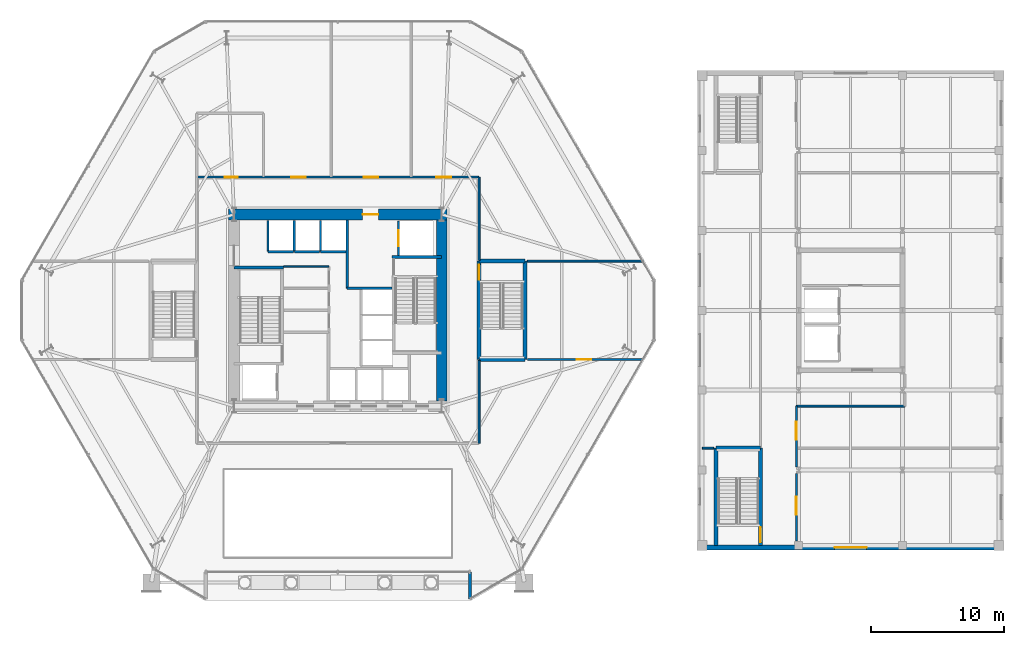
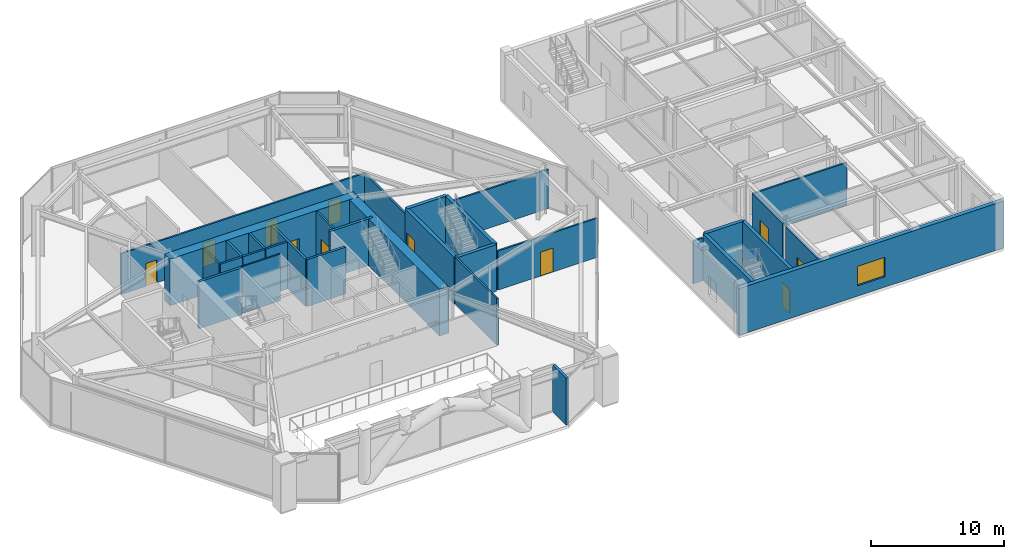
# One storey, part 17 of 23: 32 walls, 11 doors, 1 window, 12 openings.
"""IFC4 building model written with IfcOpenShell, lengths in metres."""

from ifc_helpers import new_model, si_unit, direction, frame, frame_2d, origin, place, context, subcontext, project, spatial, rectangle, extrude, material, layer, layer_set, type_object, element, fill, save


model = new_model("IFC4")

# Units and contexts
model_context = context("Model", 3, precision=1e-05, world=origin(), true_north=direction((0.0, 1.0)))
body_context = subcontext(model_context, "Body", "Model", "MODEL_VIEW")
ifc_project = project(units=[si_unit("LENGTHUNIT", "METRE"), si_unit("AREAUNIT", "SQUARE_METRE"), si_unit("VOLUMEUNIT", "CUBIC_METRE"), si_unit("PLANEANGLEUNIT", "RADIAN"), si_unit("MASSUNIT", "GRAM", prefix="KILO")], contexts=[model_context])

# Site, building, storey
site_placement = place(None, origin())
site = spatial("IfcSite", under=ifc_project, at=site_placement, CompositionType="ELEMENT")
building_placement = place(site_placement, origin())
building = spatial("IfcBuilding", under=site, at=building_placement, Name="Kranzbogen Civic Tower", CompositionType="ELEMENT")
storey_placement = place(building_placement, frame((0.0, 0.0, 14.39990234375)))
storey = spatial("IfcBuildingStorey", under=building, at=storey_placement, Name="L03", CompositionType="ELEMENT", Elevation=14.39990234375)

# Wall, openings, doors
ifc_material_1 = material(Name="Double-Stud Acoustic Gypsum Partition")
ifc_layer_1 = layer(ifc_material_1, 0.14990234375, Name="Double-Stud Acoustic Gypsum Partition")
ifc_layer_set_1 = layer_set([ifc_layer_1], Name="Double-Stud Acoustic Gypsum Partition")
wall_type_1 = type_object("IfcWallType", Name="Acoustic Corridor and Clinical Partition 150 mm", PredefinedType="PARTITIONING", material=ifc_layer_set_1)
wall_1_placement = place(storey_placement, frame((14.39990234375, 35.0, 0.0), z_axis=(0.0, 0.0, 1.0), x_axis=(1.0, 0.0, 0.0)))
wall_1 = element("IfcWall", 1, at=wall_1_placement, inside=storey, type_object=wall_type_1, Name="L03 podium concourse N wall", PredefinedType="PARTITIONING", context=body_context, shape_type="SweptSolid", body=[
    extrude(rectangle(XDim=21.2001953125, YDim=0.14990234375, at=frame_2d((10.60009765625, 0.0))), origin(), (0.0, 0.0, 1.0), 3.75),
])
opening_1_placement = place(wall_1_placement, frame((2.1201171875, 0.0, 0.0)))
opening_1 = element("IfcOpeningElement", 2, at=opening_1_placement, cuts=wall_1, Name="Opening D-AWC95", PredefinedType="OPENING", context=body_context, shape_type="SweptSolid", body=[
    extrude(rectangle(XDim=0.949951171875, YDim=2.10009765625, at=frame_2d((0.47509765625, 1.050048828125))), frame((0.0, 0.0849609375, 0.0), z_axis=(0.0, -1.0, 0.0), x_axis=(1.0, 0.0, 0.0)), (0.0, 0.0, 1.0), 0.169921875),
])
opening_2_placement = place(wall_1_placement, frame((7.087890625, 0.0, 0.0)))
opening_2 = element("IfcOpeningElement", 3, at=opening_2_placement, cuts=wall_1, Name="Opening D-COR60", PredefinedType="OPENING", context=body_context, shape_type="SweptSolid", body=[
    extrude(rectangle(XDim=1.10009765625, YDim=2.199951171875, at=frame_2d((0.550048828125, 1.10009765625))), frame((0.0, 0.0849609375, 0.0), z_axis=(0.0, -1.0, 0.0), x_axis=(1.0, 0.0, 0.0)), (0.0, 0.0, 1.0), 0.169921875),
])
opening_3_placement = place(wall_1_placement, frame((18.00390625, 0.0, 0.0)))
opening_3 = element("IfcOpeningElement", 4, at=opening_3_placement, cuts=wall_1, Name="Opening D-COR60", PredefinedType="OPENING", context=body_context, shape_type="SweptSolid", body=[
    extrude(rectangle(XDim=1.10009765625, YDim=2.199951171875, at=frame_2d((0.550048828125, 1.10009765625))), frame((0.0, 0.0849609375, 0.0), z_axis=(0.0, -1.0, 0.0), x_axis=(1.0, 0.0, 0.0)), (0.0, 0.0, 1.0), 0.169921875),
])
opening_4_placement = place(wall_1_placement, frame((12.550048828125, 0.0, 0.0)))
opening_4 = element("IfcOpeningElement", 5, at=opening_4_placement, cuts=wall_1, Name="Opening D-COR60", PredefinedType="OPENING", context=body_context, shape_type="SweptSolid", body=[
    extrude(rectangle(XDim=1.10009765625, YDim=2.199951171875, at=frame_2d((0.550048828125, 1.10009765625))), frame((0.0, 0.0849609375, 0.0), z_axis=(0.0, -1.0, 0.0), x_axis=(1.0, 0.0, 0.0)), (0.0, 0.0, 1.0), 0.169921875),
])
ifc_material_2 = material(Name="Moisture-Resistant Laminate")
door_type_1 = type_object("IfcDoorType", Name="Accessible Restroom Door 950x2100", OperationType="NOTDEFINED", PredefinedType="DOOR", material=ifc_material_2)
door_1_placement = place(opening_1_placement, origin())
door_1 = element("IfcDoor", 6, at=door_1_placement, inside=storey, type_object=door_type_1, Name="L03 Public Restroom Suite door", OperationType="SINGLE_SWING_LEFT", OverallHeight=2.10009765625, OverallWidth=0.949951171875, PredefinedType="DOOR", context=body_context, shape_type="SweptSolid", body=[
    extrude(rectangle(XDim=0.949951171875, YDim=2.10009765625, at=frame_2d((0.47509765625, 1.050048828125))), frame((0.0, 0.02490234375, 0.0), z_axis=(0.0, -1.0, 0.0), x_axis=(1.0, 0.0, 0.0)), (0.0, 0.0, 1.0), 0.050048828125),
])
fill(opening_1, door_1)
ifc_material_3 = material(Name="Oak Timber and Fire Core", Category="wood")
door_type_2 = type_object("IfcDoorType", Name="Corridor Acoustic Fire Door 1100x2200", OperationType="NOTDEFINED", PredefinedType="DOOR", material=ifc_material_3)
door_2_placement = place(opening_2_placement, origin())
door_2 = element("IfcDoor", 7, at=door_2_placement, inside=storey, type_object=door_type_2, Name="L03 Broadcast and Interpretation Suite door", OperationType="SINGLE_SWING_LEFT", OverallHeight=2.199951171875, OverallWidth=1.10009765625, PredefinedType="DOOR", context=body_context, shape_type="SweptSolid", body=[
    extrude(rectangle(XDim=1.10009765625, YDim=2.199951171875, at=frame_2d((0.550048828125, 1.10009765625))), frame((0.0, 0.02490234375, 0.0), z_axis=(0.0, -1.0, 0.0), x_axis=(1.0, 0.0, 0.0)), (0.0, 0.0, 1.0), 0.050048828125),
])
fill(opening_2, door_2)
door_3_placement = place(opening_3_placement, origin())
door_3 = element("IfcDoor", 8, at=door_3_placement, inside=storey, type_object=door_type_2, Name="L03 Urban Planning Committee Room door", OperationType="SINGLE_SWING_RIGHT", OverallHeight=2.199951171875, OverallWidth=1.10009765625, PredefinedType="DOOR", context=body_context, shape_type="SweptSolid", body=[
    extrude(rectangle(XDim=1.10009765625, YDim=2.199951171875, at=frame_2d((0.550048828125, 1.10009765625))), frame((0.0, 0.02490234375, 0.0), z_axis=(0.0, -1.0, 0.0), x_axis=(1.0, 0.0, 0.0)), (0.0, 0.0, 1.0), 0.050048828125),
])
fill(opening_3, door_3)
door_4_placement = place(opening_4_placement, origin())
door_4 = element("IfcDoor", 9, at=door_4_placement, inside=storey, type_object=door_type_2, Name="L03 Finance Committee Suite door", OperationType="SINGLE_SWING_LEFT", OverallHeight=2.199951171875, OverallWidth=1.10009765625, PredefinedType="DOOR", context=body_context, shape_type="SweptSolid", body=[
    extrude(rectangle(XDim=1.10009765625, YDim=2.199951171875, at=frame_2d((0.550048828125, 1.10009765625))), frame((0.0, 0.02490234375, 0.0), z_axis=(0.0, -1.0, 0.0), x_axis=(1.0, 0.0, 0.0)), (0.0, 0.0, 1.0), 0.050048828125),
])
fill(opening_4, door_4)

# Walls
wall_2_placement = place(storey_placement, frame((35.60009765625, 15.0, 0.0), z_axis=(0.0, 0.0, 1.0), x_axis=(0.0, 1.0, 0.0)))
element("IfcWall", 10, at=wall_2_placement, inside=storey, type_object=wall_type_1, Name="L03 podium concourse E1 wall", PredefinedType="PARTITIONING", context=body_context, shape_type="SweptSolid", body=[
    extrude(rectangle(XDim=6.25, YDim=0.14990234375, at=frame_2d((3.125, 0.0))), origin(), (0.0, 0.0, 1.0), 4.300048828125),
])
wall_3_placement = place(storey_placement, frame((35.60009765625, 28.75, 0.0), z_axis=(0.0, 0.0, 1.0), x_axis=(0.0, 1.0, 0.0)))
element("IfcWall", 11, at=wall_3_placement, inside=storey, type_object=wall_type_1, Name="L03 podium concourse E2 wall", PredefinedType="PARTITIONING", context=body_context, shape_type="SweptSolid", body=[
    extrude(rectangle(XDim=6.25, YDim=0.14990234375, at=frame_2d((3.125, 0.0))), origin(), (0.0, 0.0, 1.0), 3.75),
])

# Wall, opening, door
wall_4_placement = place(storey_placement, frame((39.22998046875, 21.300048828125, 0.0), z_axis=(0.0, 0.0, 1.0), x_axis=(1.0, 0.0, 0.0)))
wall_4 = element("IfcWall", 12, at=wall_4_placement, inside=storey, type_object=wall_type_1, Name="L03 podium partition 06", PredefinedType="PARTITIONING", context=body_context, shape_type="SweptSolid", body=[
    extrude(rectangle(XDim=8.68994140625, YDim=0.14990234375, at=frame_2d((4.344970703125, 0.0))), origin(), (0.0, 0.0, 1.0), 3.60009765625),
])
opening_5_placement = place(wall_4_placement, frame((3.7060546875, 0.0, 0.0)))
opening_5 = element("IfcOpeningElement", 13, at=opening_5_placement, cuts=wall_4, Name="Opening D-COR60", PredefinedType="OPENING", context=body_context, shape_type="SweptSolid", body=[
    extrude(rectangle(XDim=1.10009765625, YDim=2.199951171875, at=frame_2d((0.550048828125, 1.10009765625))), frame((0.0, 0.0849609375, 0.0), z_axis=(0.0, -1.0, 0.0), x_axis=(1.0, 0.0, 0.0)), (0.0, 0.0, 1.0), 0.169921875),
])
door_5_placement = place(opening_5_placement, origin())
door_5 = element("IfcDoor", 14, at=door_5_placement, inside=storey, type_object=door_type_2, Name="L03 Legal Drafting Room door", OperationType="SINGLE_SWING_LEFT", OverallHeight=2.199951171875, OverallWidth=1.10009765625, PredefinedType="DOOR", context=body_context, shape_type="SweptSolid", body=[
    extrude(rectangle(XDim=1.10009765625, YDim=2.199951171875, at=frame_2d((0.550048828125, 1.10009765625))), frame((0.0, 0.02490234375, 0.0), z_axis=(0.0, -1.0, 0.0), x_axis=(1.0, 0.0, 0.0)), (0.0, 0.0, 1.0), 0.050048828125),
])
fill(opening_5, door_5)

# Wall
wall_5_placement = place(storey_placement, frame((39.22998046875, 28.699951171875, 0.0), z_axis=(0.0, 0.0, 1.0), x_axis=(1.0, 0.0, 0.0)))
element("IfcWall", 15, at=wall_5_placement, inside=storey, type_object=wall_type_1, Name="L03 podium partition 07", PredefinedType="PARTITIONING", context=body_context, shape_type="SweptSolid", body=[
    extrude(rectangle(XDim=8.68994140625, YDim=0.14990234375, at=frame_2d((4.344970703125, 0.0))), origin(), (0.0, 0.0, 1.0), 3.60009765625),
])

# Wall, opening, door
wall_6_placement = place(storey_placement, frame((59.425048828125, 7.68994140625, 0.0), z_axis=(0.0, 0.0, 1.0), x_axis=(0.0, 1.0, 0.0)))
wall_6 = element("IfcWall", 16, at=wall_6_placement, inside=storey, type_object=wall_type_1, Name="L03 clinical corridor E1 wall part 1", PredefinedType="PARTITIONING", context=body_context, shape_type="SweptSolid", body=[
    extrude(rectangle(XDim=5.070068359375, YDim=0.14990234375, at=frame_2d((2.53515625, 0.0))), origin(), (0.0, 0.0, 1.0), 3.940185546875),
])
opening_6_placement = place(wall_6_placement, frame((1.948974609375, 0.0, 0.0)))
opening_6 = element("IfcOpeningElement", 17, at=opening_6_placement, cuts=wall_6, Name="Opening D-CLN60", PredefinedType="OPENING", context=body_context, shape_type="SweptSolid", body=[
    extrude(rectangle(XDim=1.35009765625, YDim=2.199951171875, at=frame_2d((0.675048828125, 1.10009765625))), frame((0.0, 0.0849609375, 0.0), z_axis=(0.0, -1.0, 0.0), x_axis=(1.0, 0.0, 0.0)), (0.0, 0.0, 1.0), 0.169921875),
])
ifc_material_4 = material(Name="Pale Anodised Aluminium", Category="aluminium")
door_type_3 = type_object("IfcDoorType", Name="Clinical Wide Leaf Door 1350x2200", OperationType="NOTDEFINED", PredefinedType="DOOR", material=ifc_material_4)
door_6_placement = place(opening_6_placement, origin())
door_6 = element("IfcDoor", 18, at=door_6_placement, inside=storey, type_object=door_type_3, Name="L03 Rehabilitation Physiotherapy Gym door", OperationType="SINGLE_SWING_LEFT", OverallHeight=2.199951171875, OverallWidth=1.35009765625, PredefinedType="DOOR", context=body_context, shape_type="SweptSolid", body=[
    extrude(rectangle(XDim=1.35009765625, YDim=2.199951171875, at=frame_2d((0.675048828125, 1.10009765625))), frame((0.0, 0.02490234375, 0.0), z_axis=(0.0, -1.0, 0.0), x_axis=(1.0, 0.0, 0.0)), (0.0, 0.0, 1.0), 0.050048828125),
])
fill(opening_6, door_6)

wall_7_placement = place(storey_placement, frame((59.425048828125, 13.239990234375, 0.0), z_axis=(0.0, 0.0, 1.0), x_axis=(0.0, 1.0, 0.0)))
wall_7 = element("IfcWall", 19, at=wall_7_placement, inside=storey, type_object=wall_type_1, Name="L03 clinical corridor E1 wall part 2", PredefinedType="PARTITIONING", context=body_context, shape_type="SweptSolid", body=[
    extrude(rectangle(XDim=4.56005859375, YDim=0.14990234375, at=frame_2d((2.280029296875, 0.0))), origin(), (0.0, 0.0, 1.0), 3.940185546875),
])
opening_7_placement = place(wall_7_placement, frame((2.0390625, 0.0, 0.0)))
opening_7 = element("IfcOpeningElement", 20, at=opening_7_placement, cuts=wall_7, Name="Opening D-CLN60", PredefinedType="OPENING", context=body_context, shape_type="SweptSolid", body=[
    extrude(rectangle(XDim=1.35009765625, YDim=2.199951171875, at=frame_2d((0.675048828125, 1.10009765625))), frame((0.0, 0.0849609375, 0.0), z_axis=(0.0, -1.0, 0.0), x_axis=(1.0, 0.0, 0.0)), (0.0, 0.0, 1.0), 0.169921875),
])
door_7_placement = place(opening_7_placement, origin())
door_7 = element("IfcDoor", 21, at=door_7_placement, inside=storey, type_object=door_type_3, Name="L03 Clinical Nutrition Office door", OperationType="SINGLE_SWING_LEFT", OverallHeight=2.199951171875, OverallWidth=1.35009765625, PredefinedType="DOOR", context=body_context, shape_type="SweptSolid", body=[
    extrude(rectangle(XDim=1.35009765625, YDim=2.199951171875, at=frame_2d((0.675048828125, 1.10009765625))), frame((0.0, 0.02490234375, 0.0), z_axis=(0.0, -1.0, 0.0), x_axis=(1.0, 0.0, 0.0)), (0.0, 0.0, 1.0), 0.050048828125),
])
fill(opening_7, door_7)

# Walls
wall_8_placement = place(storey_placement, frame((59.425048828125, 17.800048828125, 0.0), z_axis=(0.0, 0.0, 1.0), x_axis=(1.0, 0.0, 0.0)))
element("IfcWall", 22, at=wall_8_placement, inside=storey, type_object=wall_type_1, Name="L03 clinical partition 02", PredefinedType="PARTITIONING", context=body_context, shape_type="SweptSolid", body=[
    extrude(rectangle(XDim=8.14990234375, YDim=0.14990234375, at=frame_2d((4.074951171875, 0.0))), origin(), (0.0, 0.0, 1.0), 3.940185546875),
])
wall_9_placement = place(storey_placement, frame((52.3798828125, 14.64990234375, 0.0), z_axis=(0.0, 0.0, 1.0), x_axis=(1.0, 0.0, 0.0)))
element("IfcWall", 23, at=wall_9_placement, inside=storey, type_object=wall_type_1, Name="L03 clinical partition 03", PredefinedType="PARTITIONING", context=body_context, shape_type="SweptSolid", body=[
    extrude(rectangle(XDim=0.840087890625, YDim=0.14990234375, at=frame_2d((0.419921875, 0.0))), origin(), (0.0, 0.0, 1.0), 3.940185546875),
])
ifc_material_5 = material(Name="Insulated Metal-Stud Gypsum Partition")
ifc_layer_2 = layer(ifc_material_5, 0.125, Name="Insulated Metal-Stud Gypsum Partition")
ifc_layer_set_2 = layer_set([ifc_layer_2], Name="Insulated Metal-Stud Gypsum Partition")
wall_type_2 = type_object("IfcWallType", Name="Acoustic Inter-Room Partition 125 mm", PredefinedType="PARTITIONING", material=ifc_layer_set_2)
wall_10_placement = place(storey_placement, frame((20.919921875, 28.280029296875, 0.0), z_axis=(0.0, 0.0, 1.0), x_axis=(1.0, 0.0, 0.0)))
element("IfcWall", 24, at=wall_10_placement, inside=storey, type_object=wall_type_2, Name="L03 core auxiliary North wall", PredefinedType="PARTITIONING", context=body_context, shape_type="SweptSolid", body=[
    extrude(rectangle(XDim=3.405029296875, YDim=0.125, at=frame_2d((1.70263671875, 0.0))), origin(), (0.0, 0.0, 1.0), 4.300048828125),
])

# Wall, opening, door
ifc_material_6 = material(Name="Concrete C55/67", Category="concrete")
ifc_layer_3 = layer(ifc_material_6, 0.800048828125, Name="Concrete C55/67")
ifc_layer_set_3 = layer_set([ifc_layer_3], Name="Concrete C55/67")
wall_type_3 = type_object("IfcWallType", Name="Central Core Shear Wall 800 mm", PredefinedType="SHEAR", material=ifc_layer_set_3)
wall_11_placement = place(storey_placement, frame((33.199951171875, 32.199951171875, 0.0), z_axis=(0.0, 0.0, 1.0), x_axis=(-1.0, 0.0, 0.0)))
wall_11 = element("IfcWall", 25, at=wall_11_placement, inside=storey, type_object=wall_type_3, Name="L03 central core North shear wall", PredefinedType="SHEAR", context=body_context, shape_type="SweptSolid", body=[
    extrude(rectangle(XDim=16.39990234375, YDim=0.800048828125, at=frame_2d((8.199951171875, 0.0))), origin(), (0.0, 0.0, 1.0), 4.300048828125),
])
opening_8_placement = place(wall_11_placement, frame((5.14990234375, 0.0, 0.0)))
opening_8 = element("IfcOpeningElement", 26, at=opening_8_placement, cuts=wall_11, Name="Opening D-EX120", PredefinedType="OPENING", context=body_context, shape_type="SweptSolid", body=[
    extrude(rectangle(XDim=1.199951171875, YDim=2.25, at=frame_2d((0.60009765625, 1.125))), frame((0.0, 0.41015625, 0.0), z_axis=(0.0, -1.0, 0.0), x_axis=(1.0, 0.0, 0.0)), (0.0, 0.0, 1.0), 0.820068359375),
])
ifc_material_7 = material(Name="Steel S355", Category="steel")
door_type_4 = type_object("IfcDoorType", Name="Exit Passageway Fire Door 1200x2250", OperationType="NOTDEFINED", PredefinedType="DOOR", material=ifc_material_7)
door_8_placement = place(opening_8_placement, origin())
door_8 = element("IfcDoor", 27, at=door_8_placement, inside=storey, type_object=door_type_4, Name="L03 East firefighting lobby corridor door", OperationType="SINGLE_SWING_LEFT", OverallHeight=2.25, OverallWidth=1.199951171875, PredefinedType="DOOR", context=body_context, shape_type="SweptSolid", body=[
    extrude(rectangle(XDim=1.199951171875, YDim=2.25, at=frame_2d((0.60009765625, 1.125))), frame((0.0, 0.02490234375, 0.0), z_axis=(0.0, -1.0, 0.0), x_axis=(1.0, 0.0, 0.0)), (0.0, 0.0, 1.0), 0.050048828125),
])
fill(opening_8, door_8)

# Walls
wall_12_placement = place(storey_placement, frame((32.800048828125, 18.199951171875, 0.0), z_axis=(0.0, 0.0, 1.0), x_axis=(0.0, 1.0, 0.0)))
element("IfcWall", 28, at=wall_12_placement, inside=storey, type_object=wall_type_3, Name="L03 central core East shear wall", PredefinedType="SHEAR", context=body_context, shape_type="SweptSolid", body=[
    extrude(rectangle(XDim=13.60009765625, YDim=0.800048828125, at=frame_2d((6.800048828125, 0.0))), origin(), (0.0, 0.0, 1.0), 4.300048828125),
])
ifc_material_8 = material(Name="Concrete C45/55", Category="concrete")
ifc_layer_4 = layer(ifc_material_8, 0.219970703125, Name="Concrete C45/55")
ifc_layer_set_4 = layer_set([ifc_layer_4], Name="Concrete C45/55")
wall_type_4 = type_object("IfcWallType", Name="Core Internal Stair Structural Wall 220 mm", PredefinedType="SOLIDWALL", material=ifc_layer_set_4)
for number, where, z_axis, x_axis, name in (
    (29, (17.199951171875, 28.2099609375, 0.0), (0.0, 0.0, 1.0), (1.0, 0.0, 0.0), "L03 ST-T1 North structural stair wall"),
    (30, (29.080078125, 29.010009765625, 0.0), (0.0, 0.0, 1.0), (1.0, 0.0, 0.0), "L03 ST-T2 North structural stair wall"),
):
    element("IfcWall", number, at=place(storey_placement, frame(where, z_axis=z_axis, x_axis=x_axis)), inside=storey, type_object=wall_type_4, Name=name, PredefinedType="SOLIDWALL", context=body_context, shape_type="SweptSolid", body=[
        extrude(rectangle(XDim=3.719970703125, YDim=0.219970703125, at=frame_2d((1.85986328125, 0.0))), origin(), (0.0, 0.0, 1.0), 4.300048828125),
    ])
ifc_material_9 = material(Name="Gypsum Fireboard and Concrete Block", Category="concrete")
ifc_layer_5 = layer(ifc_material_9, 0.199951171875, Name="Gypsum Fireboard and Concrete Block")
ifc_layer_set_5 = layer_set([ifc_layer_5], Name="Gypsum Fireboard and Concrete Block")
wall_type_5 = type_object("IfcWallType", Name="Fire-Rated Exit Passageway and Stair Wall 200 mm", PredefinedType="PARTITIONING", material=ifc_layer_set_5)
wall_13_placement = place(storey_placement, frame((25.699951171875, 26.64990234375, 0.0), z_axis=(0.0, 0.0, 1.0), x_axis=(0.0, 1.0, 0.0)))
element("IfcWall", 31, at=wall_13_placement, inside=storey, type_object=wall_type_5, Name="L03 East firefighting lobby West wall", PredefinedType="PARTITIONING", context=body_context, shape_type="SweptSolid", body=[
    extrude(rectangle(XDim=5.150146484375, YDim=0.199951171875, at=frame_2d((2.5751953125, 0.0))), origin(), (0.0, 0.0, 1.0), 4.300048828125),
])
wall_14_placement = place(storey_placement, frame((25.699951171875, 26.64990234375, 0.0), z_axis=(0.0, 0.0, 1.0), x_axis=(1.0, 0.0, 0.0)))
element("IfcWall", 32, at=wall_14_placement, inside=storey, type_object=wall_type_5, Name="L03 East firefighting lobby South wall", PredefinedType="PARTITIONING", context=body_context, shape_type="SweptSolid", body=[
    extrude(rectangle(XDim=3.380126953125, YDim=0.199951171875, at=frame_2d((1.68994140625, 0.0))), origin(), (0.0, 0.0, 1.0), 4.300048828125),
])
ifc_material_10 = material(Name="Gypsum Fireboard Shaftliner")
ifc_layer_6 = layer(ifc_material_10, 0.175048828125, Name="Gypsum Fireboard Shaftliner")
ifc_layer_set_6 = layer_set([ifc_layer_6], Name="Gypsum Fireboard Shaftliner")
wall_type_6 = type_object("IfcWallType", Name="Fire-Rated Lift and Service Shaft Wall 175 mm", PredefinedType="PARTITIONING", material=ifc_layer_set_6)
wall_15_placement = place(storey_placement, frame((19.75, 29.39990234375, 0.0), z_axis=(0.0, 0.0, 1.0), x_axis=(1.0, 0.0, 0.0)))
element("IfcWall", 33, at=wall_15_placement, inside=storey, type_object=wall_type_6, Name="L03 lift MP-01 rear wall", PredefinedType="PARTITIONING", context=body_context, shape_type="SweptSolid", body=[
    extrude(rectangle(XDim=1.89990234375, YDim=0.175048828125, at=frame_2d((0.949951171875, 0.0))), origin(), (0.0, 0.0, 1.0), 4.300048828125),
])
wall_16_placement = place(storey_placement, frame((19.75, 29.39990234375, 0.0), z_axis=(0.0, 0.0, 1.0), x_axis=(0.0, 1.0, 0.0)))
element("IfcWall", 34, at=wall_16_placement, inside=storey, type_object=wall_type_6, Name="L03 lift MP-01 side wall", PredefinedType="PARTITIONING", context=body_context, shape_type="SweptSolid", body=[
    extrude(rectangle(XDim=2.35009765625, YDim=0.175048828125, at=frame_2d((1.175048828125, 0.0))), origin(), (0.0, 0.0, 1.0), 4.300048828125),
])
wall_17_placement = place(storey_placement, frame((21.72509765625, 29.39990234375, 0.0), z_axis=(0.0, 0.0, 1.0), x_axis=(1.0, 0.0, 0.0)))
element("IfcWall", 35, at=wall_17_placement, inside=storey, type_object=wall_type_6, Name="L03 lift MP-02 rear wall", PredefinedType="PARTITIONING", context=body_context, shape_type="SweptSolid", body=[
    extrude(rectangle(XDim=1.89990234375, YDim=0.175048828125, at=frame_2d((0.949951171875, 0.0))), origin(), (0.0, 0.0, 1.0), 4.300048828125),
])
wall_18_placement = place(storey_placement, frame((21.72509765625, 29.39990234375, 0.0), z_axis=(0.0, 0.0, 1.0), x_axis=(0.0, 1.0, 0.0)))
element("IfcWall", 36, at=wall_18_placement, inside=storey, type_object=wall_type_6, Name="L03 lift MP-02 side wall", PredefinedType="PARTITIONING", context=body_context, shape_type="SweptSolid", body=[
    extrude(rectangle(XDim=2.35009765625, YDim=0.175048828125, at=frame_2d((1.175048828125, 0.0))), origin(), (0.0, 0.0, 1.0), 4.300048828125),
])
wall_19_placement = place(storey_placement, frame((23.699951171875, 29.39990234375, 0.0), z_axis=(0.0, 0.0, 1.0), x_axis=(1.0, 0.0, 0.0)))
element("IfcWall", 37, at=wall_19_placement, inside=storey, type_object=wall_type_6, Name="L03 lift MP-03 rear wall", PredefinedType="PARTITIONING", context=body_context, shape_type="SweptSolid", body=[
    extrude(rectangle(XDim=1.900146484375, YDim=0.175048828125, at=frame_2d((0.9501953125, 0.0))), origin(), (0.0, 0.0, 1.0), 4.300048828125),
])
wall_20_placement = place(storey_placement, frame((23.699951171875, 29.39990234375, 0.0), z_axis=(0.0, 0.0, 1.0), x_axis=(0.0, 1.0, 0.0)))
element("IfcWall", 38, at=wall_20_placement, inside=storey, type_object=wall_type_6, Name="L03 lift MP-03 side wall", PredefinedType="PARTITIONING", context=body_context, shape_type="SweptSolid", body=[
    extrude(rectangle(XDim=2.35009765625, YDim=0.175048828125, at=frame_2d((1.175048828125, 0.0))), origin(), (0.0, 0.0, 1.0), 4.300048828125),
])

# Wall, opening, door
wall_21_placement = place(storey_placement, frame((29.550048828125, 29.10009765625, 0.0), z_axis=(0.0, 0.0, 1.0), x_axis=(0.0, 1.0, 0.0)))
wall_21 = element("IfcWall", 39, at=wall_21_placement, inside=storey, type_object=wall_type_6, Name="L03 lift FF-02 landing wall", PredefinedType="PARTITIONING", context=body_context, shape_type="SweptSolid", body=[
    extrude(rectangle(XDim=2.599853515625, YDim=0.175048828125, at=frame_2d((1.2998046875, 0.0))), origin(), (0.0, 0.0, 1.0), 4.300048828125),
])
opening_9_placement = place(wall_21_placement, frame((0.699951171875, 0.0, 0.0)))
opening_9 = element("IfcOpeningElement", 40, at=opening_9_placement, cuts=wall_21, Name="Opening LD-FF-02", PredefinedType="OPENING", context=body_context, shape_type="SweptSolid", body=[
    extrude(rectangle(XDim=1.199951171875, YDim=2.199951171875, at=frame_2d((0.60009765625, 1.10009765625))), frame((0.0, 0.09765625, 0.0), z_axis=(0.0, -1.0, 0.0), x_axis=(1.0, 0.0, 0.0)), (0.0, 0.0, 1.0), 0.195068359375),
])
door_type_5 = type_object("IfcDoorType", Name="Firefighting and Stretcher Lift Sliding Landing Door 1200x2200", OperationType="DOUBLE_DOOR_SLIDING", PredefinedType="DOOR", material=ifc_material_4)
door_9_placement = place(opening_9_placement, origin())
door_9 = element("IfcDoor", 41, at=door_9_placement, inside=storey, type_object=door_type_5, Name="L03 lift FF-02 sliding landing door", OperationType="DOUBLE_DOOR_SLIDING", OverallHeight=2.199951171875, OverallWidth=1.199951171875, PredefinedType="DOOR", context=body_context, shape_type="SweptSolid", body=[
    extrude(rectangle(XDim=1.199951171875, YDim=2.199951171875, at=frame_2d((0.60009765625, 1.10009765625))), frame((0.0, 0.02490234375, 0.0), z_axis=(0.0, -1.0, 0.0), x_axis=(1.0, 0.0, 0.0)), (0.0, 0.0, 1.0), 0.050048828125),
])
fill(opening_9, door_9)

# Wall, opening, window
ifc_material_11 = material(Name="Precast concrete C40/50", Category="concrete")
ifc_layer_7 = layer(ifc_material_11, 0.3798828125, Name="Precast concrete C40/50")
ifc_layer_set_7 = layer_set([ifc_layer_7], Name="Precast concrete C40/50")
wall_type_7 = type_object("IfcWallType", Name="Health Centre Insulated Precast Facade Wall 380 mm", PredefinedType="STANDARD", material=ifc_layer_set_7)
wall_22_placement = place(storey_placement, frame((75.0, 7.18994140625, 0.0), z_axis=(0.0, 0.0, 1.0), x_axis=(-1.0, 0.0, 0.0)))
wall_22 = element("IfcWall", 42, at=wall_22_placement, inside=storey, type_object=wall_type_7, Name="L03 Health Centre South facade wall", PredefinedType="STANDARD", context=body_context, shape_type="SweptSolid", body=[
    extrude(rectangle(XDim=23.0, YDim=0.3798828125, at=frame_2d((11.5, 0.0))), origin(), (0.0, 0.0, 1.0), 4.300048828125),
])
opening_10_placement = place(wall_22_placement, frame((10.300048828125, 0.0, 0.949951171875)))
opening_10 = element("IfcOpeningElement", 43, at=opening_10_placement, cuts=wall_22, Name="Opening W-HC24", PredefinedType="OPENING", context=body_context, shape_type="SweptSolid", body=[
    extrude(rectangle(XDim=2.39990234375, YDim=1.800048828125, at=frame_2d((1.199951171875, 0.89990234375))), frame((0.0, 0.199951171875, 0.0), z_axis=(0.0, -1.0, 0.0), x_axis=(1.0, 0.0, 0.0)), (0.0, 0.0, 1.0), 0.39990234375),
])
ifc_material_12 = material(Name="Low-E Triple Glazing Glass", Category="glass")
window_type = type_object("IfcWindowType", Name="Wide Clinical Window 2400x1800", PartitioningType="TRIPLE_PANEL_VERTICAL", PredefinedType="WINDOW", material=ifc_material_12)
window_placement = place(opening_10_placement, origin())
window = element("IfcWindow", 44, at=window_placement, inside=storey, type_object=window_type, Name="L03 Health Centre South window", OverallHeight=1.800048828125, OverallWidth=2.39990234375, PartitioningType="TRIPLE_PANEL_VERTICAL", PredefinedType="WINDOW", context=body_context, shape_type="SweptSolid", body=[
    extrude(rectangle(XDim=2.39990234375, YDim=1.800048828125, at=frame_2d((1.199951171875, 0.89990234375))), frame((0.0, 0.030029296875, 0.0), z_axis=(0.0, -1.0, 0.0), x_axis=(1.0, 0.0, 0.0)), (0.0, 0.0, 1.0), 0.06005859375),
])
fill(opening_10, window)

# Wall
ifc_layer_8 = layer(ifc_material_4, 0.239990234375, Name="Pale Anodised Aluminium")
ifc_layer_set_8 = layer_set([ifc_layer_8], Name="Pale Anodised Aluminium")
wall_type_8 = type_object("IfcWallType", Name="Insulated Aluminium Facade Portal Wall 240 mm", PredefinedType="STANDARD", material=ifc_layer_set_8)
wall_23_placement = place(storey_placement, frame((34.929931640625, 5.35009765625, 0.0), z_axis=(0.0, 0.0, 1.0), x_axis=(0.0, -1.0, 0.0)))
element("IfcWall", 45, at=wall_23_placement, inside=storey, type_object=wall_type_8, Name="L03 portal colonnade East return wall", PredefinedType="STANDARD", context=body_context, shape_type="SweptSolid", body=[
    extrude(rectangle(XDim=2.023193359375, YDim=0.239990234375, at=frame_2d((1.01171875, 0.0))), origin(), (0.0, 0.0, 1.0), 4.300048828125),
])

# Wall, opening, door
ifc_material_13 = material(Name="Concrete C40/50", Category="concrete")
ifc_layer_9 = layer(ifc_material_13, 0.300048828125, Name="Concrete C40/50")
ifc_layer_set_9 = layer_set([ifc_layer_9], Name="Concrete C40/50")
wall_type_9 = type_object("IfcWallType", Name="Structural Ramp and Stair Shaft Wall 300 mm", PredefinedType="SOLIDWALL", material=ifc_layer_set_9)
wall_24_placement = place(storey_placement, frame((56.75, 7.35009765625, 0.0), z_axis=(0.0, 0.0, 1.0), x_axis=(0.0, 1.0, 0.0)))
wall_24 = element("IfcWall", 46, at=wall_24_placement, inside=storey, type_object=wall_type_9, Name="L03 STH1 E structural stair wall", PredefinedType="SOLIDWALL", context=body_context, shape_type="SweptSolid", body=[
    extrude(rectangle(XDim=7.2998046875, YDim=0.300048828125, at=frame_2d((3.64990234375, 0.0))), origin(), (0.0, 0.0, 1.0), 4.300048828125),
])
opening_11_placement = place(wall_24_placement, frame((0.219970703125, 0.0, 0.0)))
opening_11 = element("IfcOpeningElement", 47, at=opening_11_placement, cuts=wall_24, Name="Opening D-ST90", PredefinedType="OPENING", context=body_context, shape_type="SweptSolid", body=[
    extrude(rectangle(XDim=1.14990234375, YDim=2.199951171875, at=frame_2d((0.574951171875, 1.10009765625))), frame((0.0, 0.16015625, 0.0), z_axis=(0.0, -1.0, 0.0), x_axis=(1.0, 0.0, 0.0)), (0.0, 0.0, 1.0), 0.320068359375),
])
door_type_6 = type_object("IfcDoorType", Name="Pressurized Stair and Lobby Fire Door 1150x2200", OperationType="NOTDEFINED", PredefinedType="DOOR", material=ifc_material_7)
door_10_placement = place(opening_11_placement, origin())
door_10 = element("IfcDoor", 48, at=door_10_placement, inside=storey, type_object=door_type_6, Name="L03 Health Centre Stair 1 fire door", OperationType="SINGLE_SWING_RIGHT", OverallHeight=2.199951171875, OverallWidth=1.14990234375, PredefinedType="DOOR", context=body_context, shape_type="SweptSolid", body=[
    extrude(rectangle(XDim=1.14990234375, YDim=2.199951171875, at=frame_2d((0.574951171875, 1.10009765625))), frame((0.0, 0.02490234375, 0.0), z_axis=(0.0, -1.0, 0.0), x_axis=(1.0, 0.0, 0.0)), (0.0, 0.0, 1.0), 0.050048828125),
])
fill(opening_11, door_10)

# Walls
wall_25_placement = place(storey_placement, frame((53.39990234375, 7.35009765625, 0.0), z_axis=(0.0, 0.0, 1.0), x_axis=(0.0, 1.0, 0.0)))
element("IfcWall", 49, at=wall_25_placement, inside=storey, type_object=wall_type_9, Name="L03 STH1 W structural stair wall", PredefinedType="SOLIDWALL", context=body_context, shape_type="SweptSolid", body=[
    extrude(rectangle(XDim=7.2998046875, YDim=0.300048828125, at=frame_2d((3.64990234375, 0.0))), origin(), (0.0, 0.0, 1.0), 4.300048828125),
])
wall_26_placement = place(storey_placement, frame((53.39990234375, 14.64990234375, 0.0), z_axis=(0.0, 0.0, 1.0), x_axis=(1.0, 0.0, 0.0)))
element("IfcWall", 50, at=wall_26_placement, inside=storey, type_object=wall_type_9, Name="L03 STH1 N structural stair wall", PredefinedType="SOLIDWALL", context=body_context, shape_type="SweptSolid", body=[
    extrude(rectangle(XDim=3.35009765625, YDim=0.300048828125, at=frame_2d((1.675048828125, 0.0))), origin(), (0.0, 0.0, 1.0), 4.300048828125),
])

# Wall, opening, door
wall_27_placement = place(storey_placement, frame((35.60009765625, 21.300048828125, 0.0), z_axis=(0.0, 0.0, 1.0), x_axis=(0.0, 1.0, 0.0)))
wall_27 = element("IfcWall", 51, at=wall_27_placement, inside=storey, type_object=wall_type_9, Name="L03 STP2 W structural stair wall", PredefinedType="SOLIDWALL", context=body_context, shape_type="SweptSolid", body=[
    extrude(rectangle(XDim=7.39990234375, YDim=0.300048828125, at=frame_2d((3.699951171875, 0.0))), origin(), (0.0, 0.0, 1.0), 4.300048828125),
])
opening_12_placement = place(wall_27_placement, frame((5.97998046875, 0.0, 0.0)))
opening_12 = element("IfcOpeningElement", 52, at=opening_12_placement, cuts=wall_27, Name="Opening D-ST90", PredefinedType="OPENING", context=body_context, shape_type="SweptSolid", body=[
    extrude(rectangle(XDim=1.14990234375, YDim=2.199951171875, at=frame_2d((0.574951171875, 1.10009765625))), frame((0.0, 0.16015625, 0.0), z_axis=(0.0, -1.0, 0.0), x_axis=(1.0, 0.0, 0.0)), (0.0, 0.0, 1.0), 0.320068359375),
])
door_11_placement = place(opening_12_placement, origin())
door_11 = element("IfcDoor", 53, at=door_11_placement, inside=storey, type_object=door_type_6, Name="L03 Podium Stair 2 fire door", OperationType="SINGLE_SWING_RIGHT", OverallHeight=2.199951171875, OverallWidth=1.14990234375, PredefinedType="DOOR", context=body_context, shape_type="SweptSolid", body=[
    extrude(rectangle(XDim=1.14990234375, YDim=2.199951171875, at=frame_2d((0.574951171875, 1.10009765625))), frame((0.0, 0.02490234375, 0.0), z_axis=(0.0, -1.0, 0.0), x_axis=(1.0, 0.0, 0.0)), (0.0, 0.0, 1.0), 0.050048828125),
])
fill(opening_12, door_11)

# Walls
wall_28_placement = place(storey_placement, frame((39.050048828125, 21.300048828125, 0.0), z_axis=(0.0, 0.0, 1.0), x_axis=(0.0, 1.0, 0.0)))
element("IfcWall", 54, at=wall_28_placement, inside=storey, type_object=wall_type_9, Name="L03 STP2 E structural stair wall", PredefinedType="SOLIDWALL", context=body_context, shape_type="SweptSolid", body=[
    extrude(rectangle(XDim=7.39990234375, YDim=0.300048828125, at=frame_2d((3.699951171875, 0.0))), origin(), (0.0, 0.0, 1.0), 4.300048828125),
])
for number, where, z_axis, x_axis, name in (
    (55, (35.60009765625, 21.300048828125, 0.0), (0.0, 0.0, 1.0), (1.0, 0.0, 0.0), "L03 STP2 S structural stair wall"),
    (56, (35.60009765625, 28.699951171875, 0.0), (0.0, 0.0, 1.0), (1.0, 0.0, 0.0), "L03 STP2 N structural stair wall"),
):
    element("IfcWall", number, at=place(storey_placement, frame(where, z_axis=z_axis, x_axis=x_axis)), inside=storey, type_object=wall_type_9, Name=name, PredefinedType="SOLIDWALL", context=body_context, shape_type="SweptSolid", body=[
        extrude(rectangle(XDim=3.449951171875, YDim=0.300048828125, at=frame_2d((1.72509765625, 0.0))), origin(), (0.0, 0.0, 1.0), 4.300048828125),
    ])

save(model, "model.ifc")
